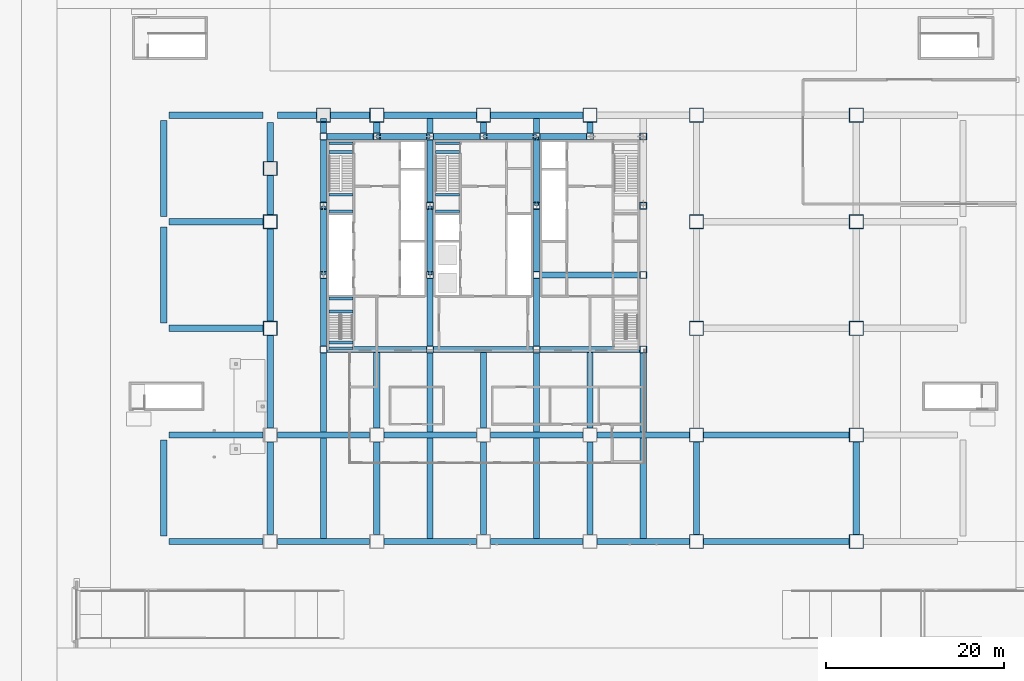
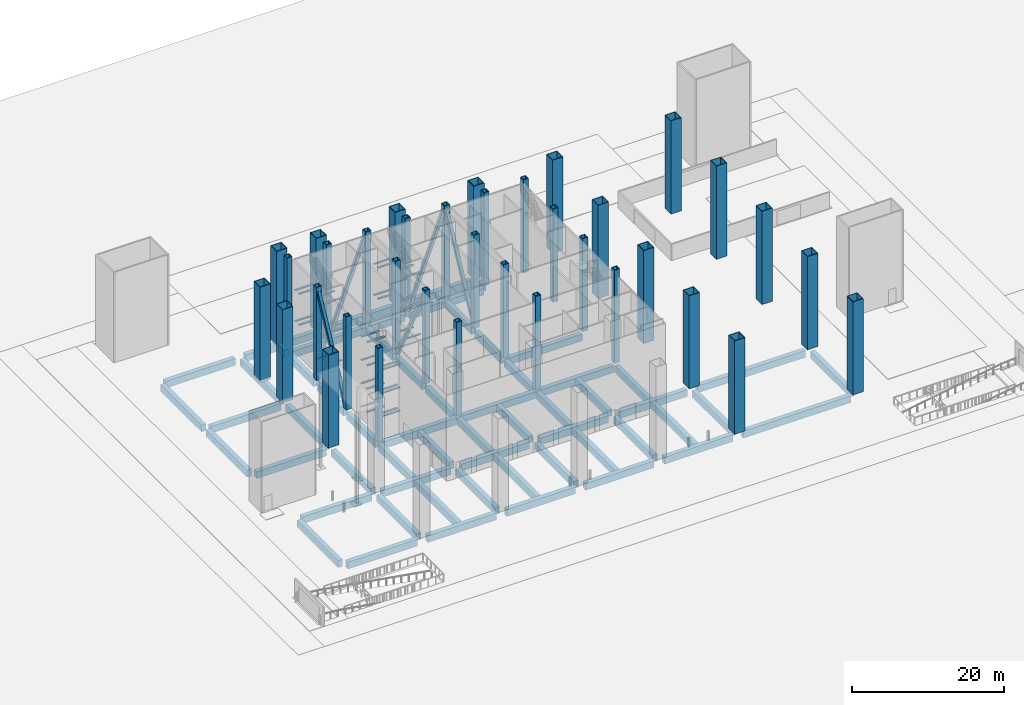
# One storey, part 3 of 22: 99 beams, 36 columns, 5 members.
"""IFC4 building model written with IfcOpenShell, lengths in metres."""

from ifc_helpers import new_model, si_unit, direction, frame, origin, origin_2d, place, context, subcontext, project, spatial, rectangle, hollow_rectangle, extrude, material, material_profile, profile_set, type_object, element, save


model = new_model("IFC4")

# Units and contexts
model_context = context("Model", 3, precision=1e-05, world=origin(), true_north=direction((0.0, 1.0)))
body_context = subcontext(model_context, "Body", "Model", "MODEL_VIEW")
ifc_project = project(units=[si_unit("LENGTHUNIT", "METRE"), si_unit("AREAUNIT", "SQUARE_METRE"), si_unit("VOLUMEUNIT", "CUBIC_METRE"), si_unit("PLANEANGLEUNIT", "RADIAN"), si_unit("MASSUNIT", "GRAM", prefix="KILO")], contexts=[model_context])

# Site, building, storey
site_placement = place(None, origin())
site = spatial("IfcSite", under=ifc_project, at=site_placement, CompositionType="ELEMENT")
building_placement = place(site_placement, origin())
building = spatial("IfcBuilding", under=site, at=building_placement, Name="Sorahane Residences", CompositionType="ELEMENT")
storey_placement = place(building_placement, origin())
storey = spatial("IfcBuildingStorey", under=building, at=storey_placement, Name="L00", CompositionType="ELEMENT", Elevation=0.0)

# Columns
ifc_material_1 = material(Name="Steel Q420GJ", Category="steel")
ifc_material_profile_1 = material_profile(ifc_material_1, hollow_rectangle(XDim=1.60009765625, YDim=1.60009765625, WallThickness=0.070068359375, at=origin_2d()), Name="BOX 1600x1600x70")
ifc_profile_set_1 = profile_set([ifc_material_profile_1], Name="Steel Q420GJ")
column_type_1 = type_object("IfcColumnType", Name="Steel box column BOX 1600x1600x70 Q420GJ", PredefinedType="COLUMN", material=ifc_profile_set_1)
for number, where, z_axis, x_axis, name in (
    (1, (0.0, 24.0, 0.0), (0.0, 0.0, 1.0), (1.0, 0.0, 0.0), "Column L00 0/24"),
    (2, (0.0, 36.0, 0.0), (0.0, 0.0, 1.0), (1.0, 0.0, 0.0), "Column L00 0/36"),
):
    element("IfcColumn", number, at=place(storey_placement, frame(where, z_axis=z_axis, x_axis=x_axis)), inside=storey, type_object=column_type_1, Name=name, PredefinedType="COLUMN", context=body_context, shape_type="SweptSolid", body=[
        extrude(hollow_rectangle(XDim=1.60009765625, YDim=1.60009765625, WallThickness=0.070068359375, at=origin_2d()), origin(), (0.0, 0.0, 1.0), 15.0),
    ])
for number, where, z_axis, x_axis, name in (
    (3, (0.0, 42.0, -0.360107421875), (0.0, 0.0, 1.0), (1.0, 0.0, 0.0), "Column L00 m0/42"),
    (4, (6.0, 48.0, -0.360107421875), (0.0, 0.0, 1.0), (1.0, 0.0, 0.0), "Column L00 6/48"),
):
    element("IfcColumn", number, at=place(storey_placement, frame(where, z_axis=z_axis, x_axis=x_axis)), inside=storey, type_object=column_type_1, Name=name, PredefinedType="COLUMN", context=body_context, shape_type="SweptSolid", body=[
        extrude(hollow_rectangle(XDim=1.60009765625, YDim=1.60009765625, WallThickness=0.070068359375, at=origin_2d()), origin(), (0.0, 0.0, 1.0), 15.360107421875),
    ])
for number, where, z_axis, x_axis, name in (
    (5, (12.0, 48.0, 0.0), (0.0, 0.0, 1.0), (1.0, 0.0, 0.0), "Column L00 12/48"),
    (6, (24.0, 48.0, 0.0), (0.0, 0.0, 1.0), (1.0, 0.0, 0.0), "Column L00 24/48"),
    (7, (36.0, 48.0, 0.0), (0.0, 0.0, 1.0), (1.0, 0.0, 0.0), "Column L00 36/48"),
    (8, (48.0, 0.0, 0.0), (0.0, 0.0, 1.0), (1.0, 0.0, 0.0), "Column L00 48/0"),
    (9, (48.0, 12.0, 0.0), (0.0, 0.0, 1.0), (1.0, 0.0, 0.0), "Column L00 48/12"),
    (10, (48.0, 24.0, 0.0), (0.0, 0.0, 1.0), (1.0, 0.0, 0.0), "Column L00 48/24"),
    (11, (48.0, 36.0, 0.0), (0.0, 0.0, 1.0), (1.0, 0.0, 0.0), "Column L00 48/36"),
    (12, (48.0, 48.0, 0.0), (0.0, 0.0, 1.0), (1.0, 0.0, 0.0), "Column L00 48/48"),
    (13, (66.0, 0.0, 0.0), (0.0, 0.0, 1.0), (1.0, 0.0, 0.0), "Column L00 66/0"),
    (14, (66.0, 12.0, 0.0), (0.0, 0.0, 1.0), (1.0, 0.0, 0.0), "Column L00 66/12"),
    (15, (66.0, 24.0, 0.0), (0.0, 0.0, 1.0), (1.0, 0.0, 0.0), "Column L00 66/24"),
    (16, (66.0, 36.0, 0.0), (0.0, 0.0, 1.0), (1.0, 0.0, 0.0), "Column L00 66/36"),
    (17, (66.0, 48.0, 0.0), (0.0, 0.0, 1.0), (1.0, 0.0, 0.0), "Column L00 66/48"),
):
    element("IfcColumn", number, at=place(storey_placement, frame(where, z_axis=z_axis, x_axis=x_axis)), inside=storey, type_object=column_type_1, Name=name, PredefinedType="COLUMN", context=body_context, shape_type="SweptSolid", body=[
        extrude(hollow_rectangle(XDim=1.60009765625, YDim=1.60009765625, WallThickness=0.070068359375, at=origin_2d()), origin(), (0.0, 0.0, 1.0), 15.0),
    ])
ifc_material_2 = material(Name="Steel Q420GJ", Category="steel")
ifc_material_profile_2 = material_profile(ifc_material_2, hollow_rectangle(XDim=0.800048828125, YDim=0.800048828125, WallThickness=0.070068359375, at=origin_2d()), Name="BOX 800x800x70")
ifc_profile_set_2 = profile_set([ifc_material_profile_2], Name="Steel Q420GJ")
column_type_2 = type_object("IfcColumnType", Name="Steel box column BOX 800x800x70 Q420GJ", PredefinedType="COLUMN", material=ifc_profile_set_2)
for number, where, z_axis, x_axis, name in (
    (18, (6.0, 21.60009765625, 0.0), (0.0, 0.0, 1.0), (1.0, 0.0, 0.0), "Column L00 6/21.6"),
    (19, (6.0, 30.0, 0.0), (0.0, 0.0, 1.0), (1.0, 0.0, 0.0), "Column L00 6/30"),
    (20, (6.0, 37.800048828125, 0.0), (0.0, 0.0, 1.0), (1.0, 0.0, 0.0), "Column L00 6/37.8"),
    (21, (6.0, 45.60009765625, 0.0), (0.0, 0.0, 1.0), (1.0, 0.0, 0.0), "Column L00 6/45.6"),
    (22, (12.0, 45.60009765625, 0.0), (0.0, 0.0, 1.0), (1.0, 0.0, 0.0), "Column L00 12/45.6"),
    (23, (18.0, 21.60009765625, 0.0), (0.0, 0.0, 1.0), (1.0, 0.0, 0.0), "Column L00 18/21.6"),
    (24, (18.0, 30.0, 0.0), (0.0, 0.0, 1.0), (1.0, 0.0, 0.0), "Column L00 18/30"),
    (25, (18.0, 37.800048828125, 0.0), (0.0, 0.0, 1.0), (1.0, 0.0, 0.0), "Column L00 18/37.8"),
    (26, (18.0, 45.60009765625, 0.0), (0.0, 0.0, 1.0), (1.0, 0.0, 0.0), "Column L00 18/45.6"),
    (27, (24.0, 45.60009765625, 0.0), (0.0, 0.0, 1.0), (1.0, 0.0, 0.0), "Column L00 24/45.6"),
    (28, (30.0, 21.60009765625, 0.0), (0.0, 0.0, 1.0), (1.0, 0.0, 0.0), "Column L00 30/21.6"),
    (29, (30.0, 30.0, 0.0), (0.0, 0.0, 1.0), (1.0, 0.0, 0.0), "Column L00 30/30"),
    (30, (30.0, 37.800048828125, 0.0), (0.0, 0.0, 1.0), (1.0, 0.0, 0.0), "Column L00 30/37.8"),
    (31, (30.0, 45.60009765625, 0.0), (0.0, 0.0, 1.0), (1.0, 0.0, 0.0), "Column L00 30/45.6"),
    (32, (36.0, 45.60009765625, 0.0), (0.0, 0.0, 1.0), (1.0, 0.0, 0.0), "Column L00 36/45.6"),
    (33, (42.0, 21.60009765625, 0.0), (0.0, 0.0, 1.0), (1.0, 0.0, 0.0), "Column L00 42/21.6"),
    (34, (42.0, 30.0, 0.0), (0.0, 0.0, 1.0), (1.0, 0.0, 0.0), "Column L00 42/30"),
    (35, (42.0, 37.800048828125, 0.0), (0.0, 0.0, 1.0), (1.0, 0.0, 0.0), "Column L00 42/37.8"),
    (36, (42.0, 45.60009765625, 0.0), (0.0, 0.0, 1.0), (1.0, 0.0, 0.0), "Column L00 42/45.6"),
):
    element("IfcColumn", number, at=place(storey_placement, frame(where, z_axis=z_axis, x_axis=x_axis)), inside=storey, type_object=column_type_2, Name=name, PredefinedType="COLUMN", context=body_context, shape_type="SweptSolid", body=[
        extrude(hollow_rectangle(XDim=0.800048828125, YDim=0.800048828125, WallThickness=0.070068359375, at=origin_2d()), origin(), (0.0, 0.0, 1.0), 15.0),
    ])

# Members
ifc_material_3 = material(Name="Steel Q355B", Category="steel")
ifc_material_profile_3 = material_profile(ifc_material_3, hollow_rectangle(XDim=0.5, YDim=0.5, WallThickness=0.02490234375, InnerFilletRadius=0.012451171875, OuterFilletRadius=0.03759765625, at=origin_2d()), Name="RHS 500x500x25")
ifc_profile_set_3 = profile_set([ifc_material_profile_3], Name="Steel Q355B")
member_type = type_object("IfcMemberType", Name="Core brace RHS 500x500x25 Q355B", PredefinedType="BRACE", material=ifc_profile_set_3)
for number, where, z_axis, x_axis, name in (
    (37, (12.224853515625, 45.60009765625, -0.2080078125), (0.357138272486, 0.0, 0.93405152659), (0.0, 1.0, 0.0), "Core brace L00 y45.6-2"),
    (38, (24.224853515625, 45.60009765625, -0.2080078125), (0.357138272486, 0.0, 0.93405152659), (0.0, 1.0, 0.0), "Core brace L00 y45.6-4"),
):
    element("IfcMember", number, at=place(storey_placement, frame(where, z_axis=z_axis, x_axis=x_axis)), inside=storey, type_object=member_type, Name=name, PredefinedType="BRACE", context=body_context, shape_type="SweptSolid", body=[
        extrude(hollow_rectangle(XDim=0.5, YDim=0.5, WallThickness=0.02490234375, InnerFilletRadius=0.012451171875, OuterFilletRadius=0.03759765625, at=origin_2d()), origin(), (0.0, 0.0, 1.0), 15.541015625),
    ])
for number, where, z_axis, x_axis, name in (
    (39, (6.0, 30.2333984375, -0.073974609375), (0.0, 0.457634752473, 0.889140277644), (-1.0, 0.0, 0.0), "Core brace L00 x6-2"),
    (40, (18.0, 37.566650390625, -0.073974609375), (0.0, -0.457634752473, 0.889140277644), (1.0, 0.0, 0.0), "Core brace L00 x18-1"),
):
    element("IfcMember", number, at=place(storey_placement, frame(where, z_axis=z_axis, x_axis=x_axis)), inside=storey, type_object=member_type, Name=name, PredefinedType="BRACE", context=body_context, shape_type="SweptSolid", body=[
        extrude(hollow_rectangle(XDim=0.5, YDim=0.5, WallThickness=0.02490234375, InnerFilletRadius=0.012451171875, OuterFilletRadius=0.03759765625, at=origin_2d()), origin(), (0.0, 0.0, 1.0), 16.024169921875),
    ])
member_placement = place(storey_placement, frame((30.0, 38.033203125, -0.073974609375), z_axis=(0.0, 0.457646797242, 0.889134078176), x_axis=(-1.0, 0.0, 0.0)))
element("IfcMember", 41, at=member_placement, inside=storey, type_object=member_type, Name="Core brace L00 x30-2", PredefinedType="BRACE", context=body_context, shape_type="SweptSolid", body=[
    extrude(hollow_rectangle(XDim=0.5, YDim=0.5, WallThickness=0.02490234375, InnerFilletRadius=0.012451171875, OuterFilletRadius=0.03759765625, at=origin_2d()), origin(), (0.0, 0.0, 1.0), 16.0244140625),
])

# Beams
ifc_material_4 = material(Name="Concrete C40", Category="concrete")
ifc_material_profile_4 = material_profile(ifc_material_4, rectangle(XDim=0.699951171875, YDim=1.10009765625, at=origin_2d()), Name="700x1100")
ifc_profile_set_4 = profile_set([ifc_material_profile_4], Name="Concrete C40")
beam_type_1 = type_object("IfcBeamType", Name="RC beam 700 x 1100 Concrete C40", PredefinedType="BEAM", material=ifc_profile_set_4)
beam_1_placement = place(storey_placement, frame((-11.39990234375, 0.0, -0.909912109375), z_axis=(1.0, 0.0, 0.0), x_axis=(0.0, 1.0, 0.0)))
element("IfcBeam", 42, at=beam_1_placement, inside=storey, type_object=beam_type_1, Name="Beam L00 000", PredefinedType="BEAM", context=body_context, shape_type="SweptSolid", body=[
    extrude(rectangle(XDim=0.699951171875, YDim=1.10009765625, at=origin_2d()), origin(), (0.0, 0.0, 1.0), 10.599853515625),
])
for number, where, z_axis, x_axis, name in (
    (43, (0.800048828125, 0.0, -0.909912109375), (1.0, 0.0, 0.0), (0.0, 1.0, 0.0), "Beam L00 001"),
    (44, (12.800048828125, 0.0, -0.909912109375), (1.0, 0.0, 0.0), (0.0, 1.0, 0.0), "Beam L00 002"),
    (45, (24.800048828125, 0.0, -0.909912109375), (1.0, 0.0, 0.0), (0.0, 1.0, 0.0), "Beam L00 003"),
    (46, (36.800048828125, 0.0, -0.909912109375), (1.0, 0.0, 0.0), (0.0, 1.0, 0.0), "Beam L00 004"),
):
    element("IfcBeam", number, at=place(storey_placement, frame(where, z_axis=z_axis, x_axis=x_axis)), inside=storey, type_object=beam_type_1, Name=name, PredefinedType="BEAM", context=body_context, shape_type="SweptSolid", body=[
        extrude(rectangle(XDim=0.699951171875, YDim=1.10009765625, at=origin_2d()), origin(), (0.0, 0.0, 1.0), 10.39990234375),
    ])
beam_2_placement = place(storey_placement, frame((48.800048828125, 0.0, -0.909912109375), z_axis=(1.0, 0.0, 0.0), x_axis=(0.0, 1.0, 0.0)))
element("IfcBeam", 47, at=beam_2_placement, inside=storey, type_object=beam_type_1, Name="Beam L00 005", PredefinedType="BEAM", context=body_context, shape_type="SweptSolid", body=[
    extrude(rectangle(XDim=0.699951171875, YDim=1.10009765625, at=origin_2d()), origin(), (0.0, 0.0, 1.0), 16.39990234375),
])
beam_3_placement = place(storey_placement, frame((-11.39990234375, 12.0, -0.909912109375), z_axis=(1.0, 0.0, 0.0), x_axis=(0.0, 1.0, 0.0)))
element("IfcBeam", 48, at=beam_3_placement, inside=storey, type_object=beam_type_1, Name="Beam L00 007", PredefinedType="BEAM", context=body_context, shape_type="SweptSolid", body=[
    extrude(rectangle(XDim=0.699951171875, YDim=1.10009765625, at=origin_2d()), origin(), (0.0, 0.0, 1.0), 10.599853515625),
])
for number, where, z_axis, x_axis, name in (
    (49, (0.800048828125, 12.0, -0.909912109375), (1.0, 0.0, 0.0), (0.0, 1.0, 0.0), "Beam L00 008"),
    (50, (12.800048828125, 12.0, -0.909912109375), (1.0, 0.0, 0.0), (0.0, 1.0, 0.0), "Beam L00 009"),
    (51, (24.800048828125, 12.0, -0.909912109375), (1.0, 0.0, 0.0), (0.0, 1.0, 0.0), "Beam L00 010"),
    (52, (36.800048828125, 12.0, -0.909912109375), (1.0, 0.0, 0.0), (0.0, 1.0, 0.0), "Beam L00 011"),
):
    element("IfcBeam", number, at=place(storey_placement, frame(where, z_axis=z_axis, x_axis=x_axis)), inside=storey, type_object=beam_type_1, Name=name, PredefinedType="BEAM", context=body_context, shape_type="SweptSolid", body=[
        extrude(rectangle(XDim=0.699951171875, YDim=1.10009765625, at=origin_2d()), origin(), (0.0, 0.0, 1.0), 10.39990234375),
    ])
beam_4_placement = place(storey_placement, frame((48.800048828125, 12.0, -0.909912109375), z_axis=(1.0, 0.0, 0.0), x_axis=(0.0, 1.0, 0.0)))
element("IfcBeam", 53, at=beam_4_placement, inside=storey, type_object=beam_type_1, Name="Beam L00 012", PredefinedType="BEAM", context=body_context, shape_type="SweptSolid", body=[
    extrude(rectangle(XDim=0.699951171875, YDim=1.10009765625, at=origin_2d()), origin(), (0.0, 0.0, 1.0), 16.39990234375),
])
for number, where, z_axis, x_axis, name in (
    (54, (-11.39990234375, 24.0, -0.909912109375), (1.0, 0.0, 0.0), (0.0, 1.0, 0.0), "Beam L00 014"),
    (55, (-11.39990234375, 36.0, -0.909912109375), (1.0, 0.0, 0.0), (0.0, 1.0, 0.0), "Beam L00 017"),
    (56, (-11.39990234375, 48.0, -0.909912109375), (1.0, 0.0, 0.0), (0.0, 1.0, 0.0), "Beam L00 020"),
):
    element("IfcBeam", number, at=place(storey_placement, frame(where, z_axis=z_axis, x_axis=x_axis)), inside=storey, type_object=beam_type_1, Name=name, PredefinedType="BEAM", context=body_context, shape_type="SweptSolid", body=[
        extrude(rectangle(XDim=0.699951171875, YDim=1.10009765625, at=origin_2d()), origin(), (0.0, 0.0, 1.0), 10.599853515625),
    ])
for number, where, z_axis, x_axis, name in (
    (57, (0.800048828125, 48.0, -0.909912109375), (1.0, 0.0, 0.0), (0.0, 1.0, 0.0), "Beam L00 021"),
    (58, (12.800048828125, 48.0, -0.909912109375), (1.0, 0.0, 0.0), (0.0, 1.0, 0.0), "Beam L00 022"),
    (59, (24.800048828125, 48.0, -0.909912109375), (1.0, 0.0, 0.0), (0.0, 1.0, 0.0), "Beam L00 023"),
):
    element("IfcBeam", number, at=place(storey_placement, frame(where, z_axis=z_axis, x_axis=x_axis)), inside=storey, type_object=beam_type_1, Name=name, PredefinedType="BEAM", context=body_context, shape_type="SweptSolid", body=[
        extrude(rectangle(XDim=0.699951171875, YDim=1.10009765625, at=origin_2d()), origin(), (0.0, 0.0, 1.0), 10.39990234375),
    ])
for number, where, z_axis, x_axis, name in (
    (60, (6.39990234375, 21.60009765625, -0.909912109375), (1.0, 0.0, 0.0), (0.0, 1.0, 0.0), "Beam L00 027"),
    (61, (18.39990234375, 21.60009765625, -0.909912109375), (1.0, 0.0, 0.0), (0.0, 1.0, 0.0), "Beam L00 028"),
    (62, (30.39990234375, 21.60009765625, -0.909912109375), (1.0, 0.0, 0.0), (0.0, 1.0, 0.0), "Beam L00 029"),
    (63, (30.39990234375, 30.0, -0.909912109375), (1.0, 0.0, 0.0), (0.0, 1.0, 0.0), "Beam L00 030"),
):
    element("IfcBeam", number, at=place(storey_placement, frame(where, z_axis=z_axis, x_axis=x_axis)), inside=storey, type_object=beam_type_1, Name=name, PredefinedType="BEAM", context=body_context, shape_type="SweptSolid", body=[
        extrude(rectangle(XDim=0.699951171875, YDim=1.10009765625, at=origin_2d()), origin(), (0.0, 0.0, 1.0), 11.2001953125),
    ])
for number, where, z_axis, x_axis, name in (
    (64, (6.39990234375, 45.60009765625, -0.909912109375), (1.0, 0.0, 0.0), (0.0, 1.0, 0.0), "Beam L00 031"),
    (65, (12.39990234375, 45.60009765625, -0.909912109375), (1.0, 0.0, 0.0), (0.0, 1.0, 0.0), "Beam L00 032"),
    (66, (18.39990234375, 45.60009765625, -0.909912109375), (1.0, 0.0, 0.0), (0.0, 1.0, 0.0), "Beam L00 033"),
    (67, (24.39990234375, 45.60009765625, -0.909912109375), (1.0, 0.0, 0.0), (0.0, 1.0, 0.0), "Beam L00 034"),
    (68, (30.39990234375, 45.60009765625, -0.909912109375), (1.0, 0.0, 0.0), (0.0, 1.0, 0.0), "Beam L00 035"),
):
    element("IfcBeam", number, at=place(storey_placement, frame(where, z_axis=z_axis, x_axis=x_axis)), inside=storey, type_object=beam_type_1, Name=name, PredefinedType="BEAM", context=body_context, shape_type="SweptSolid", body=[
        extrude(rectangle(XDim=0.699951171875, YDim=1.10009765625, at=origin_2d()), origin(), (0.0, 0.0, 1.0), 5.2001953125),
    ])
for number, where, z_axis, x_axis, name in (
    (69, (-12.0, 0.60009765625, -0.909912109375), (0.0, 1.0, 0.0), (-1.0, 0.0, 0.0), "Beam L00 037"),
    (70, (-12.0, 24.60009765625, -0.909912109375), (0.0, 1.0, 0.0), (-1.0, 0.0, 0.0), "Beam L00 038"),
    (71, (-12.0, 36.60009765625, -0.909912109375), (0.0, 1.0, 0.0), (-1.0, 0.0, 0.0), "Beam L00 039"),
):
    element("IfcBeam", number, at=place(storey_placement, frame(where, z_axis=z_axis, x_axis=x_axis)), inside=storey, type_object=beam_type_1, Name=name, PredefinedType="BEAM", context=body_context, shape_type="SweptSolid", body=[
        extrude(rectangle(XDim=0.699951171875, YDim=1.10009765625, at=origin_2d()), origin(), (0.0, 0.0, 1.0), 10.7998046875),
    ])
for number, where, z_axis, x_axis, name in (
    (72, (0.0, 0.800048828125, -0.909912109375), (0.0, 1.0, 0.0), (-1.0, 0.0, 0.0), "Beam L00 040"),
    (73, (0.0, 12.800048828125, -0.909912109375), (0.0, 1.0, 0.0), (-1.0, 0.0, 0.0), "Beam L00 041"),
    (74, (0.0, 24.800048828125, -0.909912109375), (0.0, 1.0, 0.0), (-1.0, 0.0, 0.0), "Beam L00 042"),
    (75, (0.0, 36.800048828125, -0.909912109375), (0.0, 1.0, 0.0), (-1.0, 0.0, 0.0), "Beam L00 043"),
    (76, (12.0, 0.800048828125, -0.909912109375), (0.0, 1.0, 0.0), (-1.0, 0.0, 0.0), "Beam L00 044"),
):
    element("IfcBeam", number, at=place(storey_placement, frame(where, z_axis=z_axis, x_axis=x_axis)), inside=storey, type_object=beam_type_1, Name=name, PredefinedType="BEAM", context=body_context, shape_type="SweptSolid", body=[
        extrude(rectangle(XDim=0.699951171875, YDim=1.10009765625, at=origin_2d()), origin(), (0.0, 0.0, 1.0), 10.39990234375),
    ])
beam_5_placement = place(storey_placement, frame((12.0, 12.800048828125, -0.909912109375), z_axis=(0.0, 1.0, 0.0), x_axis=(-1.0, 0.0, 0.0)))
element("IfcBeam", 77, at=beam_5_placement, inside=storey, type_object=beam_type_1, Name="Beam L00 045", PredefinedType="BEAM", context=body_context, shape_type="SweptSolid", body=[
    extrude(rectangle(XDim=0.699951171875, YDim=1.10009765625, at=origin_2d()), origin(), (0.0, 0.0, 1.0), 8.449951171875),
])
beam_6_placement = place(storey_placement, frame((12.0, 46.0, -0.909912109375), z_axis=(0.0, 1.0, 0.0), x_axis=(-1.0, 0.0, 0.0)))
element("IfcBeam", 78, at=beam_6_placement, inside=storey, type_object=beam_type_1, Name="Beam L00 046", PredefinedType="BEAM", context=body_context, shape_type="SweptSolid", body=[
    extrude(rectangle(XDim=0.699951171875, YDim=1.10009765625, at=origin_2d()), origin(), (0.0, 0.0, 1.0), 1.199951171875),
])
beam_7_placement = place(storey_placement, frame((24.0, 0.800048828125, -0.909912109375), z_axis=(0.0, 1.0, 0.0), x_axis=(-1.0, 0.0, 0.0)))
element("IfcBeam", 79, at=beam_7_placement, inside=storey, type_object=beam_type_1, Name="Beam L00 047", PredefinedType="BEAM", context=body_context, shape_type="SweptSolid", body=[
    extrude(rectangle(XDim=0.699951171875, YDim=1.10009765625, at=origin_2d()), origin(), (0.0, 0.0, 1.0), 10.39990234375),
])
beam_8_placement = place(storey_placement, frame((24.0, 12.800048828125, -0.909912109375), z_axis=(0.0, 1.0, 0.0), x_axis=(-1.0, 0.0, 0.0)))
element("IfcBeam", 80, at=beam_8_placement, inside=storey, type_object=beam_type_1, Name="Beam L00 048", PredefinedType="BEAM", context=body_context, shape_type="SweptSolid", body=[
    extrude(rectangle(XDim=0.699951171875, YDim=1.10009765625, at=origin_2d()), origin(), (0.0, 0.0, 1.0), 8.449951171875),
])
beam_9_placement = place(storey_placement, frame((24.0, 46.0, -0.909912109375), z_axis=(0.0, 1.0, 0.0), x_axis=(-1.0, 0.0, 0.0)))
element("IfcBeam", 81, at=beam_9_placement, inside=storey, type_object=beam_type_1, Name="Beam L00 049", PredefinedType="BEAM", context=body_context, shape_type="SweptSolid", body=[
    extrude(rectangle(XDim=0.699951171875, YDim=1.10009765625, at=origin_2d()), origin(), (0.0, 0.0, 1.0), 1.199951171875),
])
beam_10_placement = place(storey_placement, frame((36.0, 0.800048828125, -0.909912109375), z_axis=(0.0, 1.0, 0.0), x_axis=(-1.0, 0.0, 0.0)))
element("IfcBeam", 82, at=beam_10_placement, inside=storey, type_object=beam_type_1, Name="Beam L00 050", PredefinedType="BEAM", context=body_context, shape_type="SweptSolid", body=[
    extrude(rectangle(XDim=0.699951171875, YDim=1.10009765625, at=origin_2d()), origin(), (0.0, 0.0, 1.0), 10.39990234375),
])
beam_11_placement = place(storey_placement, frame((36.0, 12.800048828125, -0.909912109375), z_axis=(0.0, 1.0, 0.0), x_axis=(-1.0, 0.0, 0.0)))
element("IfcBeam", 83, at=beam_11_placement, inside=storey, type_object=beam_type_1, Name="Beam L00 051", PredefinedType="BEAM", context=body_context, shape_type="SweptSolid", body=[
    extrude(rectangle(XDim=0.699951171875, YDim=1.10009765625, at=origin_2d()), origin(), (0.0, 0.0, 1.0), 8.449951171875),
])
beam_12_placement = place(storey_placement, frame((36.0, 46.0, -0.909912109375), z_axis=(0.0, 1.0, 0.0), x_axis=(-1.0, 0.0, 0.0)))
element("IfcBeam", 84, at=beam_12_placement, inside=storey, type_object=beam_type_1, Name="Beam L00 052", PredefinedType="BEAM", context=body_context, shape_type="SweptSolid", body=[
    extrude(rectangle(XDim=0.699951171875, YDim=1.10009765625, at=origin_2d()), origin(), (0.0, 0.0, 1.0), 1.199951171875),
])
for number, where, z_axis, x_axis, name in (
    (85, (48.0, 0.800048828125, -0.909912109375), (0.0, 1.0, 0.0), (-1.0, 0.0, 0.0), "Beam L00 053"),
    (86, (66.0, 0.800048828125, -0.909912109375), (0.0, 1.0, 0.0), (-1.0, 0.0, 0.0), "Beam L00 057"),
):
    element("IfcBeam", number, at=place(storey_placement, frame(where, z_axis=z_axis, x_axis=x_axis)), inside=storey, type_object=beam_type_1, Name=name, PredefinedType="BEAM", context=body_context, shape_type="SweptSolid", body=[
        extrude(rectangle(XDim=0.699951171875, YDim=1.10009765625, at=origin_2d()), origin(), (0.0, 0.0, 1.0), 10.39990234375),
    ])
beam_13_placement = place(storey_placement, frame((6.0, 0.35009765625, -0.909912109375), z_axis=(0.0, 1.0, 0.0), x_axis=(-1.0, 0.0, 0.0)))
element("IfcBeam", 87, at=beam_13_placement, inside=storey, type_object=beam_type_1, Name="Beam L00 064", PredefinedType="BEAM", context=body_context, shape_type="SweptSolid", body=[
    extrude(rectangle(XDim=0.699951171875, YDim=1.10009765625, at=origin_2d()), origin(), (0.0, 0.0, 1.0), 11.2998046875),
])
beam_14_placement = place(storey_placement, frame((6.0, 12.35009765625, -0.909912109375), z_axis=(0.0, 1.0, 0.0), x_axis=(-1.0, 0.0, 0.0)))
element("IfcBeam", 88, at=beam_14_placement, inside=storey, type_object=beam_type_1, Name="Beam L00 065", PredefinedType="BEAM", context=body_context, shape_type="SweptSolid", body=[
    extrude(rectangle(XDim=0.699951171875, YDim=1.10009765625, at=origin_2d()), origin(), (0.0, 0.0, 1.0), 8.849853515625),
])
beam_15_placement = place(storey_placement, frame((6.0, 22.0, -0.909912109375), z_axis=(0.0, 1.0, 0.0), x_axis=(-1.0, 0.0, 0.0)))
element("IfcBeam", 89, at=beam_15_placement, inside=storey, type_object=beam_type_1, Name="Beam L00 066", PredefinedType="BEAM", context=body_context, shape_type="SweptSolid", body=[
    extrude(rectangle(XDim=0.699951171875, YDim=1.10009765625, at=origin_2d()), origin(), (0.0, 0.0, 1.0), 7.60009765625),
])
for number, where, z_axis, x_axis, name in (
    (90, (6.0, 30.39990234375, -0.909912109375), (0.0, 1.0, 0.0), (-1.0, 0.0, 0.0), "Beam L00 067"),
    (91, (6.0, 38.199951171875, -0.909912109375), (0.0, 1.0, 0.0), (-1.0, 0.0, 0.0), "Beam L00 068"),
):
    element("IfcBeam", number, at=place(storey_placement, frame(where, z_axis=z_axis, x_axis=x_axis)), inside=storey, type_object=beam_type_1, Name=name, PredefinedType="BEAM", context=body_context, shape_type="SweptSolid", body=[
        extrude(rectangle(XDim=0.699951171875, YDim=1.10009765625, at=origin_2d()), origin(), (0.0, 0.0, 1.0), 7.0),
    ])
beam_16_placement = place(storey_placement, frame((6.0, 46.0, -0.909912109375), z_axis=(0.0, 1.0, 0.0), x_axis=(-1.0, 0.0, 0.0)))
element("IfcBeam", 92, at=beam_16_placement, inside=storey, type_object=beam_type_1, Name="Beam L00 069", PredefinedType="BEAM", context=body_context, shape_type="SweptSolid", body=[
    extrude(rectangle(XDim=0.699951171875, YDim=1.10009765625, at=origin_2d()), origin(), (0.0, 0.0, 1.0), 1.64990234375),
])
beam_17_placement = place(storey_placement, frame((18.0, 0.35009765625, -0.909912109375), z_axis=(0.0, 1.0, 0.0), x_axis=(-1.0, 0.0, 0.0)))
element("IfcBeam", 93, at=beam_17_placement, inside=storey, type_object=beam_type_1, Name="Beam L00 070", PredefinedType="BEAM", context=body_context, shape_type="SweptSolid", body=[
    extrude(rectangle(XDim=0.699951171875, YDim=1.10009765625, at=origin_2d()), origin(), (0.0, 0.0, 1.0), 11.2998046875),
])
beam_18_placement = place(storey_placement, frame((18.0, 12.35009765625, -0.909912109375), z_axis=(0.0, 1.0, 0.0), x_axis=(-1.0, 0.0, 0.0)))
element("IfcBeam", 94, at=beam_18_placement, inside=storey, type_object=beam_type_1, Name="Beam L00 071", PredefinedType="BEAM", context=body_context, shape_type="SweptSolid", body=[
    extrude(rectangle(XDim=0.699951171875, YDim=1.10009765625, at=origin_2d()), origin(), (0.0, 0.0, 1.0), 8.849853515625),
])
beam_19_placement = place(storey_placement, frame((18.0, 22.0, -0.909912109375), z_axis=(0.0, 1.0, 0.0), x_axis=(-1.0, 0.0, 0.0)))
element("IfcBeam", 95, at=beam_19_placement, inside=storey, type_object=beam_type_1, Name="Beam L00 072", PredefinedType="BEAM", context=body_context, shape_type="SweptSolid", body=[
    extrude(rectangle(XDim=0.699951171875, YDim=1.10009765625, at=origin_2d()), origin(), (0.0, 0.0, 1.0), 7.60009765625),
])
for number, where, z_axis, x_axis, name in (
    (96, (18.0, 30.39990234375, -0.909912109375), (0.0, 1.0, 0.0), (-1.0, 0.0, 0.0), "Beam L00 073"),
    (97, (18.0, 38.199951171875, -0.909912109375), (0.0, 1.0, 0.0), (-1.0, 0.0, 0.0), "Beam L00 074"),
):
    element("IfcBeam", number, at=place(storey_placement, frame(where, z_axis=z_axis, x_axis=x_axis)), inside=storey, type_object=beam_type_1, Name=name, PredefinedType="BEAM", context=body_context, shape_type="SweptSolid", body=[
        extrude(rectangle(XDim=0.699951171875, YDim=1.10009765625, at=origin_2d()), origin(), (0.0, 0.0, 1.0), 7.0),
    ])
beam_20_placement = place(storey_placement, frame((18.0, 46.0, -0.909912109375), z_axis=(0.0, 1.0, 0.0), x_axis=(-1.0, 0.0, 0.0)))
element("IfcBeam", 98, at=beam_20_placement, inside=storey, type_object=beam_type_1, Name="Beam L00 075", PredefinedType="BEAM", context=body_context, shape_type="SweptSolid", body=[
    extrude(rectangle(XDim=0.699951171875, YDim=1.10009765625, at=origin_2d()), origin(), (0.0, 0.0, 1.0), 1.64990234375),
])
beam_21_placement = place(storey_placement, frame((30.0, 0.35009765625, -0.909912109375), z_axis=(0.0, 1.0, 0.0), x_axis=(-1.0, 0.0, 0.0)))
element("IfcBeam", 99, at=beam_21_placement, inside=storey, type_object=beam_type_1, Name="Beam L00 076", PredefinedType="BEAM", context=body_context, shape_type="SweptSolid", body=[
    extrude(rectangle(XDim=0.699951171875, YDim=1.10009765625, at=origin_2d()), origin(), (0.0, 0.0, 1.0), 11.2998046875),
])
beam_22_placement = place(storey_placement, frame((30.0, 12.35009765625, -0.909912109375), z_axis=(0.0, 1.0, 0.0), x_axis=(-1.0, 0.0, 0.0)))
element("IfcBeam", 100, at=beam_22_placement, inside=storey, type_object=beam_type_1, Name="Beam L00 077", PredefinedType="BEAM", context=body_context, shape_type="SweptSolid", body=[
    extrude(rectangle(XDim=0.699951171875, YDim=1.10009765625, at=origin_2d()), origin(), (0.0, 0.0, 1.0), 8.849853515625),
])
beam_23_placement = place(storey_placement, frame((30.0, 22.0, -0.909912109375), z_axis=(0.0, 1.0, 0.0), x_axis=(-1.0, 0.0, 0.0)))
element("IfcBeam", 101, at=beam_23_placement, inside=storey, type_object=beam_type_1, Name="Beam L00 078", PredefinedType="BEAM", context=body_context, shape_type="SweptSolid", body=[
    extrude(rectangle(XDim=0.699951171875, YDim=1.10009765625, at=origin_2d()), origin(), (0.0, 0.0, 1.0), 7.60009765625),
])
for number, where, z_axis, x_axis, name in (
    (102, (30.0, 30.39990234375, -0.909912109375), (0.0, 1.0, 0.0), (-1.0, 0.0, 0.0), "Beam L00 079"),
    (103, (30.0, 38.199951171875, -0.909912109375), (0.0, 1.0, 0.0), (-1.0, 0.0, 0.0), "Beam L00 080"),
):
    element("IfcBeam", number, at=place(storey_placement, frame(where, z_axis=z_axis, x_axis=x_axis)), inside=storey, type_object=beam_type_1, Name=name, PredefinedType="BEAM", context=body_context, shape_type="SweptSolid", body=[
        extrude(rectangle(XDim=0.699951171875, YDim=1.10009765625, at=origin_2d()), origin(), (0.0, 0.0, 1.0), 7.0),
    ])
beam_24_placement = place(storey_placement, frame((30.0, 46.0, -0.909912109375), z_axis=(0.0, 1.0, 0.0), x_axis=(-1.0, 0.0, 0.0)))
element("IfcBeam", 104, at=beam_24_placement, inside=storey, type_object=beam_type_1, Name="Beam L00 081", PredefinedType="BEAM", context=body_context, shape_type="SweptSolid", body=[
    extrude(rectangle(XDim=0.699951171875, YDim=1.10009765625, at=origin_2d()), origin(), (0.0, 0.0, 1.0), 1.64990234375),
])
beam_25_placement = place(storey_placement, frame((42.0, 0.35009765625, -0.909912109375), z_axis=(0.0, 1.0, 0.0), x_axis=(-1.0, 0.0, 0.0)))
element("IfcBeam", 105, at=beam_25_placement, inside=storey, type_object=beam_type_1, Name="Beam L00 082", PredefinedType="BEAM", context=body_context, shape_type="SweptSolid", body=[
    extrude(rectangle(XDim=0.699951171875, YDim=1.10009765625, at=origin_2d()), origin(), (0.0, 0.0, 1.0), 11.2998046875),
])
beam_26_placement = place(storey_placement, frame((42.0, 12.35009765625, -0.909912109375), z_axis=(0.0, 1.0, 0.0), x_axis=(-1.0, 0.0, 0.0)))
element("IfcBeam", 106, at=beam_26_placement, inside=storey, type_object=beam_type_1, Name="Beam L00 083", PredefinedType="BEAM", context=body_context, shape_type="SweptSolid", body=[
    extrude(rectangle(XDim=0.699951171875, YDim=1.10009765625, at=origin_2d()), origin(), (0.0, 0.0, 1.0), 8.849853515625),
])
ifc_material_5 = material(Name="Concrete C40", Category="concrete")
ifc_material_profile_5 = material_profile(ifc_material_5, rectangle(XDim=0.300048828125, YDim=0.139892578125, at=origin_2d()), Name="300x140")
ifc_profile_set_5 = profile_set([ifc_material_profile_5], Name="Concrete C40")
beam_type_2 = type_object("IfcBeamType", Name="RC landing beam 300 x 140 Concrete C40", PredefinedType="BEAM", material=ifc_profile_set_5)
for number, where, z_axis, x_axis, name in (
    (107, (6.60009765625, 37.14990234375, 2.22998046875), (1.0, 0.0, 0.0), (0.0, 1.0, 0.0), "Landing beam"),
    (108, (6.60009765625, 39.030029296875, 2.22998046875), (1.0, 0.0, 0.0), (0.0, 1.0, 0.0), "Landing beam"),
    (109, (6.60009765625, 43.85009765625, 4.72998046875), (1.0, 0.0, 0.0), (0.0, 1.0, 0.0), "Landing beam"),
    (110, (6.60009765625, 44.85009765625, 4.72998046875), (1.0, 0.0, 0.0), (0.0, 1.0, 0.0), "Landing beam"),
    (111, (6.60009765625, 37.14990234375, 7.22998046875), (1.0, 0.0, 0.0), (0.0, 1.0, 0.0), "Landing beam"),
    (112, (6.60009765625, 39.030029296875, 7.22998046875), (1.0, 0.0, 0.0), (0.0, 1.0, 0.0), "Landing beam"),
    (113, (6.60009765625, 43.85009765625, 9.72998046875), (1.0, 0.0, 0.0), (0.0, 1.0, 0.0), "Landing beam"),
    (114, (6.60009765625, 44.85009765625, 9.72998046875), (1.0, 0.0, 0.0), (0.0, 1.0, 0.0), "Landing beam"),
    (115, (6.60009765625, 37.14990234375, 12.22998046875), (1.0, 0.0, 0.0), (0.0, 1.0, 0.0), "Landing beam"),
    (116, (6.60009765625, 39.030029296875, 12.22998046875), (1.0, 0.0, 0.0), (0.0, 1.0, 0.0), "Landing beam"),
    (117, (18.60009765625, 37.14990234375, 2.22998046875), (1.0, 0.0, 0.0), (0.0, 1.0, 0.0), "Landing beam"),
    (118, (18.60009765625, 39.030029296875, 2.22998046875), (1.0, 0.0, 0.0), (0.0, 1.0, 0.0), "Landing beam"),
    (119, (18.60009765625, 43.85009765625, 4.72998046875), (1.0, 0.0, 0.0), (0.0, 1.0, 0.0), "Landing beam"),
    (120, (18.60009765625, 44.85009765625, 4.72998046875), (1.0, 0.0, 0.0), (0.0, 1.0, 0.0), "Landing beam"),
    (121, (18.60009765625, 37.14990234375, 7.22998046875), (1.0, 0.0, 0.0), (0.0, 1.0, 0.0), "Landing beam"),
    (122, (18.60009765625, 39.030029296875, 7.22998046875), (1.0, 0.0, 0.0), (0.0, 1.0, 0.0), "Landing beam"),
    (123, (18.60009765625, 43.85009765625, 9.72998046875), (1.0, 0.0, 0.0), (0.0, 1.0, 0.0), "Landing beam"),
    (124, (18.60009765625, 44.85009765625, 9.72998046875), (1.0, 0.0, 0.0), (0.0, 1.0, 0.0), "Landing beam"),
    (125, (18.60009765625, 37.14990234375, 12.22998046875), (1.0, 0.0, 0.0), (0.0, 1.0, 0.0), "Landing beam"),
    (126, (18.60009765625, 39.030029296875, 12.22998046875), (1.0, 0.0, 0.0), (0.0, 1.0, 0.0), "Landing beam"),
    (127, (6.60009765625, 25.89990234375, 1.60498046875), (1.0, 0.0, 0.0), (0.0, 1.0, 0.0), "Landing beam"),
    (128, (6.60009765625, 27.35009765625, 1.60498046875), (1.0, 0.0, 0.0), (0.0, 1.0, 0.0), "Landing beam"),
    (129, (6.60009765625, 21.75, 3.47998046875), (1.0, 0.0, 0.0), (0.0, 1.0, 0.0), "Landing beam"),
    (130, (6.60009765625, 22.39990234375, 3.47998046875), (1.0, 0.0, 0.0), (0.0, 1.0, 0.0), "Landing beam"),
    (131, (6.60009765625, 25.89990234375, 5.35498046875), (1.0, 0.0, 0.0), (0.0, 1.0, 0.0), "Landing beam"),
    (132, (6.60009765625, 27.35009765625, 5.35498046875), (1.0, 0.0, 0.0), (0.0, 1.0, 0.0), "Landing beam"),
    (133, (6.60009765625, 21.75, 7.22998046875), (1.0, 0.0, 0.0), (0.0, 1.0, 0.0), "Landing beam"),
    (134, (6.60009765625, 22.39990234375, 7.22998046875), (1.0, 0.0, 0.0), (0.0, 1.0, 0.0), "Landing beam"),
    (135, (6.60009765625, 25.89990234375, 9.10498046875), (1.0, 0.0, 0.0), (0.0, 1.0, 0.0), "Landing beam"),
    (136, (6.60009765625, 27.35009765625, 9.10498046875), (1.0, 0.0, 0.0), (0.0, 1.0, 0.0), "Landing beam"),
    (137, (6.60009765625, 21.75, 10.97998046875), (1.0, 0.0, 0.0), (0.0, 1.0, 0.0), "Landing beam"),
    (138, (6.60009765625, 22.39990234375, 10.97998046875), (1.0, 0.0, 0.0), (0.0, 1.0, 0.0), "Landing beam"),
    (139, (6.60009765625, 25.89990234375, 12.85498046875), (1.0, 0.0, 0.0), (0.0, 1.0, 0.0), "Landing beam"),
    (140, (6.60009765625, 27.35009765625, 12.85498046875), (1.0, 0.0, 0.0), (0.0, 1.0, 0.0), "Landing beam"),
):
    element("IfcBeam", number, at=place(storey_placement, frame(where, z_axis=z_axis, x_axis=x_axis)), inside=storey, type_object=beam_type_2, Name=name, PredefinedType="BEAM", context=body_context, shape_type="SweptSolid", body=[
        extrude(rectangle(XDim=0.300048828125, YDim=0.139892578125, at=origin_2d()), origin(), (0.0, 0.0, 1.0), 2.699951171875),
    ])

save(model, "model.ifc")
